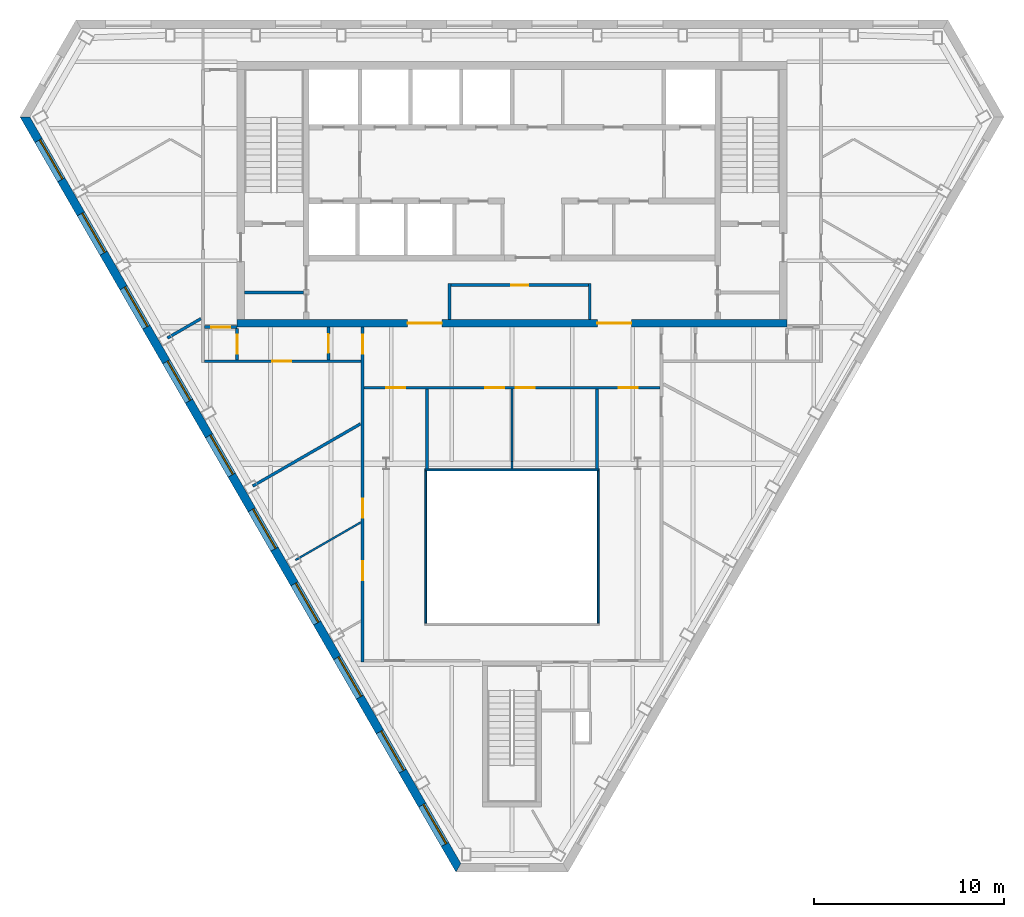
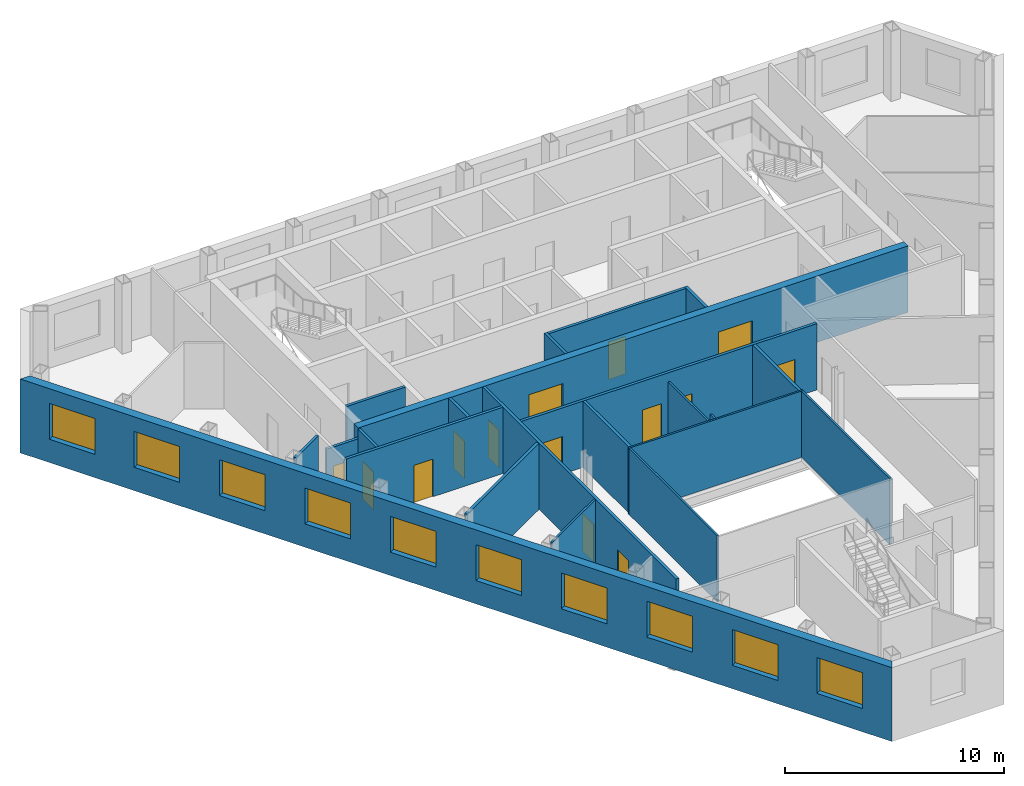
# One storey, part 4 of 10: 22 walls, 14 doors, 10 windows, 24 openings.
"""IFC4 building model written with IfcOpenShell, lengths in metres."""

from ifc_helpers import new_model, si_unit, direction, frame, frame_2d, origin, place, context, subcontext, project, spatial, polyline, rectangle, outline, extrude, material, layer, layer_set, type_object, element, fill, save


model = new_model("IFC4")

# Units and contexts
model_context = context("Model", 3, precision=1e-05, world=origin(), true_north=direction((0.0, 1.0)))
body_context = subcontext(model_context, "Body", "Model", "MODEL_VIEW")
ifc_project = project(units=[si_unit("LENGTHUNIT", "METRE"), si_unit("AREAUNIT", "SQUARE_METRE"), si_unit("VOLUMEUNIT", "CUBIC_METRE"), si_unit("PLANEANGLEUNIT", "RADIAN"), si_unit("MASSUNIT", "GRAM", prefix="KILO")], contexts=[model_context])

# Site, building, storey
site_placement = place(None, origin())
site = spatial("IfcSite", under=ifc_project, at=site_placement, CompositionType="ELEMENT")
building_placement = place(site_placement, origin())
building = spatial("IfcBuilding", under=site, at=building_placement, Name="Njiva Tower", CompositionType="ELEMENT")
storey_placement = place(building_placement, frame((0.0, 0.0, 264.9)))
storey = spatial("IfcBuildingStorey", under=building, at=storey_placement, Name="L60", CompositionType="ELEMENT", Elevation=264.9)

# Walls
ifc_material_1 = material(Name="Blockwork", Category="masonry")
ifc_layer_1 = layer(ifc_material_1, 0.15)
ifc_layer_set_1 = layer_set([ifc_layer_1], Name="Blockwork")
wall_type_1 = type_object("IfcWallType", Name="WT1 Compartment partition 150", PredefinedType="PARTITIONING", material=ifc_layer_set_1)
wall_1_placement = place(storey_placement, frame((-14.1, 5.825, 0.0), z_axis=(0.0, 0.0, 1.0), x_axis=(1.0, 0.0, 0.0)))
element("IfcWall", 1, at=wall_1_placement, inside=storey, type_object=wall_type_1, Name="Room wall A", PredefinedType="PARTITIONING", context=body_context, shape_type="SweptSolid", body=[
    extrude(rectangle(XDim=3.1, YDim=0.15, at=frame_2d((1.55, 0.0))), origin(), (0.0, 0.0, 1.0), 3.7),
])
for number, where, z_axis, x_axis, name in (
    (2, (-3.3, 4.4, 0.0), (0.0, 0.0, 1.0), (0.0, 1.0, 0.0), "Concierge office wall west"),
    (3, (4.1, 4.4, 0.0), (0.0, 0.0, 1.0), (0.0, 1.0, 0.0), "Concierge office wall east"),
):
    element("IfcWall", number, at=place(storey_placement, frame(where, z_axis=z_axis, x_axis=x_axis)), inside=storey, type_object=wall_type_1, Name=name, PredefinedType="PARTITIONING", context=body_context, shape_type="SweptSolid", body=[
        extrude(rectangle(XDim=1.895, YDim=0.15, at=frame_2d((0.9475, 0.0))), origin(), (0.0, 0.0, 1.0), 3.7),
    ])

# Wall, opening, door
wall_2_placement = place(storey_placement, frame((-3.225, 6.22, 0.0), z_axis=(0.0, 0.0, 1.0), x_axis=(1.0, 0.0, 0.0)))
wall_2 = element("IfcWall", 4, at=wall_2_placement, inside=storey, type_object=wall_type_1, Name="Concierge office wall north", PredefinedType="PARTITIONING", context=body_context, shape_type="SweptSolid", body=[
    extrude(rectangle(XDim=7.25, YDim=0.15, at=frame_2d((3.625, 0.0))), origin(), (0.0, 0.0, 1.0), 3.7),
])
opening_1_placement = place(wall_2_placement, frame((3.175, 0.0, 0.0)))
opening_1 = element("IfcOpeningElement", 5, at=opening_1_placement, cuts=wall_2, Name="Opening S19-D924", PredefinedType="OPENING", context=body_context, shape_type="SweptSolid", body=[
    extrude(rectangle(XDim=0.9, YDim=2.1, at=frame_2d((0.45, 1.05))), frame((0.0, 0.085, 0.0), z_axis=(0.0, -1.0, 0.0), x_axis=(1.0, 0.0, 0.0)), (0.0, 0.0, 1.0), 0.17),
])
ifc_material_2 = material(Name="Steel fire door, painted", Category="steel")
door_type_1 = type_object("IfcDoorType", Name="D6 Fire-rated door 900x2100", OperationType="SINGLE_SWING_LEFT", PredefinedType="DOOR", material=ifc_material_2)
door_1_placement = place(opening_1_placement, origin())
door_1 = element("IfcDoor", 6, at=door_1_placement, inside=storey, type_object=door_type_1, Name="Concierge office door", OperationType="SINGLE_SWING_LEFT", OverallHeight=2.1, OverallWidth=0.9, PredefinedType="DOOR", context=body_context, shape_type="SweptSolid", body=[
    extrude(rectangle(XDim=0.9, YDim=2.1, at=frame_2d((0.45, 1.05))), frame((0.0, 0.025, 0.0), z_axis=(0.0, -1.0, 0.0), x_axis=(1.0, 0.0, 0.0)), (0.0, 0.0, 1.0), 0.05),
])
fill(opening_1, door_1)

# Wall, openings, doors
ifc_material_3 = material(Name="Concrete C60/75", Category="concrete")
ifc_layer_2 = layer(ifc_material_3, 0.4)
ifc_layer_set_2 = layer_set([ifc_layer_2], Name="Concrete C60/75")
wall_type_2 = type_object("IfcWallType", Name="WT11 Core wall 400", PredefinedType="SHEAR", material=ifc_layer_set_2)
wall_3_placement = place(storey_placement, frame((-14.5, 4.2, 0.0), z_axis=(0.0, 0.0, 1.0), x_axis=(1.0, 0.0, 0.0)))
wall_3 = element("IfcWall", 7, at=wall_3_placement, inside=storey, type_object=wall_type_2, Name="Core wall south", PredefinedType="SHEAR", context=body_context, shape_type="SweptSolid", body=[
    extrude(rectangle(XDim=29.0, YDim=0.4, at=frame_2d((14.5, 0.0))), origin(), (0.0, 0.0, 1.0), 3.7),
])
opening_2_placement = place(wall_3_placement, frame((9.0, 0.0, 0.0)))
opening_2 = element("IfcOpeningElement", 8, at=opening_2_placement, cuts=wall_3, Name="Opening S19-D926", PredefinedType="OPENING", context=body_context, shape_type="SweptSolid", body=[
    extrude(rectangle(XDim=1.8, YDim=2.4, at=frame_2d((0.9, 1.2))), frame((0.0, 0.21, 0.0), z_axis=(0.0, -1.0, 0.0), x_axis=(1.0, 0.0, 0.0)), (0.0, 0.0, 1.0), 0.42),
])
opening_3_placement = place(wall_3_placement, frame((19.0, 0.0, 0.0)))
opening_3 = element("IfcOpeningElement", 9, at=opening_3_placement, cuts=wall_3, Name="Opening S19-D927", PredefinedType="OPENING", context=body_context, shape_type="SweptSolid", body=[
    extrude(rectangle(XDim=1.8, YDim=2.4, at=frame_2d((0.9, 1.2))), frame((0.0, 0.21, 0.0), z_axis=(0.0, -1.0, 0.0), x_axis=(1.0, 0.0, 0.0)), (0.0, 0.0, 1.0), 0.42),
])
ifc_material_4 = material(Name="Steel and glass door", Category="steel")
door_type_2 = type_object("IfcDoorType", Name="D3 Core entrance door 1800x2400", OperationType="DOUBLE_DOOR_SINGLE_SWING", PredefinedType="DOOR", material=ifc_material_4)
door_2_placement = place(opening_2_placement, origin())
door_2 = element("IfcDoor", 10, at=door_2_placement, inside=storey, type_object=door_type_2, Name="Core entrance door", OperationType="DOUBLE_DOOR_SINGLE_SWING", OverallHeight=2.4, OverallWidth=1.8, PredefinedType="DOOR", context=body_context, shape_type="SweptSolid", body=[
    extrude(rectangle(XDim=1.8, YDim=2.4, at=frame_2d((0.9, 1.2))), frame((0.0, 0.025, 0.0), z_axis=(0.0, -1.0, 0.0), x_axis=(1.0, 0.0, 0.0)), (0.0, 0.0, 1.0), 0.05),
])
fill(opening_2, door_2)
door_3_placement = place(opening_3_placement, origin())
door_3 = element("IfcDoor", 11, at=door_3_placement, inside=storey, type_object=door_type_2, Name="Core entrance door", OperationType="DOUBLE_DOOR_SINGLE_SWING", OverallHeight=2.4, OverallWidth=1.8, PredefinedType="DOOR", context=body_context, shape_type="SweptSolid", body=[
    extrude(rectangle(XDim=1.8, YDim=2.4, at=frame_2d((0.9, 1.2))), frame((0.0, 0.025, 0.0), z_axis=(0.0, -1.0, 0.0), x_axis=(1.0, 0.0, 0.0)), (0.0, 0.0, 1.0), 0.05),
])
fill(opening_3, door_3)

# Walls
ifc_material_5 = material(Name="Gypsum board on steel studs", Category="gypsum")
ifc_layer_3 = layer(ifc_material_5, 0.1)
ifc_layer_set_3 = layer_set([ifc_layer_3], Name="Gypsum board on steel studs")
wall_type_3 = type_object("IfcWallType", Name="WT20 Gypsum partition 100", PredefinedType="PARTITIONING", material=ifc_layer_set_3)
wall_4_placement = place(storey_placement, frame((-11.42, -8.285, 0.0), z_axis=(0.0, 0.0, 1.0), x_axis=(0.866143665252, 0.499795109164, 0.0)))
element("IfcWall", 12, at=wall_4_placement, inside=storey, type_object=wall_type_3, Name="Partition S19-P011", PredefinedType="PARTITIONING", context=body_context, shape_type="SweptSolid", body=[
    extrude(rectangle(XDim=3.9716, YDim=0.1, at=frame_2d((1.9858, 0.0))), origin(), (0.0, 0.0, 1.0), 3.7),
])
wall_5_placement = place(storey_placement, frame((-0.001, 0.725, 0.0), z_axis=(0.0, 0.0, 1.0), x_axis=(0.000235294111, -0.999999972318, 0.0)))
element("IfcWall", 13, at=wall_5_placement, inside=storey, type_object=wall_type_3, Name="Partition S19-P018", PredefinedType="PARTITIONING", context=body_context, shape_type="SweptSolid", body=[
    extrude(rectangle(XDim=3.825, YDim=0.1, at=frame_2d((1.9125, 0.0))), origin(), (0.0, 0.0, 1.0), 3.2),
])
wall_6_placement = place(storey_placement, frame((-0.0001, -3.1, 0.0), z_axis=(0.0, 0.0, 1.0), x_axis=(0.000263157886, -0.999999965374, 0.0)))
element("IfcWall", 14, at=wall_6_placement, inside=storey, type_object=wall_type_3, Name="Partition S19-P018A", PredefinedType="PARTITIONING", context=body_context, shape_type="SweptSolid", body=[
    extrude(rectangle(XDim=0.38, YDim=0.1, at=frame_2d((0.19, 0.0))), origin(), (0.0, 0.0, 1.0), 3.7),
])
ifc_layer_4 = layer(ifc_material_5, 0.15)
ifc_layer_set_4 = layer_set([ifc_layer_4], Name="Gypsum board on steel studs")
wall_type_4 = type_object("IfcWallType", Name="WT21 Compartment wall 150", PredefinedType="PARTITIONING", material=ifc_layer_set_4)
wall_7_placement = place(storey_placement, frame((-18.18, 3.423, 0.0), z_axis=(0.0, 0.0, 1.0), x_axis=(0.865850922242, 0.500302089196, 0.0)))
element("IfcWall", 15, at=wall_7_placement, inside=storey, type_object=wall_type_4, Name="Partition S19-P002", PredefinedType="PARTITIONING", context=body_context, shape_type="SweptSolid", body=[
    extrude(rectangle(XDim=2.0408, YDim=0.15, at=frame_2d((1.0204, 0.0))), origin(), (0.0, 0.0, 1.0), 3.7),
])

# Wall, opening, door
wall_8_placement = place(storey_placement, frame((-16.225, 2.2, 0.0), z_axis=(0.0, 0.0, 1.0), x_axis=(1.0, 0.0, 0.0)))
wall_8 = element("IfcWall", 16, at=wall_8_placement, inside=storey, type_object=wall_type_4, Name="Partition S19-P006", PredefinedType="PARTITIONING", context=body_context, shape_type="SweptSolid", body=[
    extrude(rectangle(XDim=8.27, YDim=0.15, at=frame_2d((4.135, 0.0))), origin(), (0.0, 0.0, 1.0), 3.7),
])
opening_4_placement = place(wall_8_placement, frame((3.584, 0.0, 0.0)))
opening_4 = element("IfcOpeningElement", 17, at=opening_4_placement, cuts=wall_8, Name="Opening S19-D003", PredefinedType="OPENING", context=body_context, shape_type="SweptSolid", body=[
    extrude(rectangle(XDim=1.0, YDim=2.1, at=frame_2d((0.5, 1.05))), frame((0.0, 0.085, 0.0), z_axis=(0.0, -1.0, 0.0), x_axis=(1.0, 0.0, 0.0)), (0.0, 0.0, 1.0), 0.17),
])
ifc_material_6 = material(Name="Steel fire door set", Category="steel")
door_type_3 = type_object("IfcDoorType", Name="D37 Fire door 1000x2100", OperationType="SINGLE_SWING_LEFT", PredefinedType="DOOR", material=ifc_material_6)
door_4_placement = place(opening_4_placement, origin())
door_4 = element("IfcDoor", 18, at=door_4_placement, inside=storey, type_object=door_type_3, Name="Door S19-D003", OperationType="SINGLE_SWING_LEFT", OverallHeight=2.1, OverallWidth=1.0, PredefinedType="DOOR", context=body_context, shape_type="SweptSolid", body=[
    extrude(rectangle(XDim=1.0, YDim=2.1, at=frame_2d((0.5, 1.05))), frame((0.0, 0.025, 0.0), z_axis=(0.0, -1.0, 0.0), x_axis=(1.0, 0.0, 0.0)), (0.0, 0.0, 1.0), 0.05),
])
fill(opening_4, door_4)

wall_9_placement = place(storey_placement, frame((-16.225, 4.0, 0.0), z_axis=(0.0, 0.0, 1.0), x_axis=(1.0, 0.0, 0.0)))
wall_9 = element("IfcWall", 19, at=wall_9_placement, inside=storey, type_object=wall_type_4, Name="Partition S19-P007", PredefinedType="PARTITIONING", context=body_context, shape_type="SweptSolid", body=[
    extrude(rectangle(XDim=1.725, YDim=0.15, at=frame_2d((0.8625, 0.0))), origin(), (0.0, 0.0, 1.0), 3.16),
])
opening_5_placement = place(wall_9_placement, frame((0.363, 0.0, 0.0)))
opening_5 = element("IfcOpeningElement", 20, at=opening_5_placement, cuts=wall_9, Name="Opening S19-D004", PredefinedType="OPENING", context=body_context, shape_type="SweptSolid", body=[
    extrude(rectangle(XDim=1.0, YDim=2.1, at=frame_2d((0.5, 1.05))), frame((0.0, 0.085, 0.0), z_axis=(0.0, -1.0, 0.0), x_axis=(1.0, 0.0, 0.0)), (0.0, 0.0, 1.0), 0.17),
])
door_5_placement = place(opening_5_placement, origin())
door_5 = element("IfcDoor", 21, at=door_5_placement, inside=storey, type_object=door_type_3, Name="Door S19-D004", OperationType="SINGLE_SWING_LEFT", OverallHeight=2.1, OverallWidth=1.0, PredefinedType="DOOR", context=body_context, shape_type="SweptSolid", body=[
    extrude(rectangle(XDim=1.0, YDim=2.1, at=frame_2d((0.5, 1.05))), frame((0.0, 0.025, 0.0), z_axis=(0.0, -1.0, 0.0), x_axis=(1.0, 0.0, 0.0)), (0.0, 0.0, 1.0), 0.05),
])
fill(opening_5, door_5)

wall_10_placement = place(storey_placement, frame((-14.5, 2.275, 0.0), z_axis=(0.0, 0.0, 1.0), x_axis=(0.0, 1.0, 0.0)))
wall_10 = element("IfcWall", 22, at=wall_10_placement, inside=storey, type_object=wall_type_4, Name="Partition S19-P009", PredefinedType="PARTITIONING", context=body_context, shape_type="SweptSolid", body=[
    extrude(rectangle(XDim=1.65, YDim=0.15, at=frame_2d((0.825, 0.0))), origin(), (0.0, 0.0, 1.0), 3.7),
])
opening_6_placement = place(wall_10_placement, frame((0.325, 0.0, 0.0)))
opening_6 = element("IfcOpeningElement", 23, at=opening_6_placement, cuts=wall_10, Name="Opening S19-D006", PredefinedType="OPENING", context=body_context, shape_type="SweptSolid", body=[
    extrude(rectangle(XDim=1.0, YDim=2.1, at=frame_2d((0.5, 1.05))), frame((0.0, 0.085, 0.0), z_axis=(0.0, -1.0, 0.0), x_axis=(1.0, 0.0, 0.0)), (0.0, 0.0, 1.0), 0.17),
])
door_6_placement = place(opening_6_placement, origin())
door_6 = element("IfcDoor", 24, at=door_6_placement, inside=storey, type_object=door_type_3, Name="Door S19-D006", OperationType="SINGLE_SWING_RIGHT", OverallHeight=2.1, OverallWidth=1.0, PredefinedType="DOOR", context=body_context, shape_type="SweptSolid", body=[
    extrude(rectangle(XDim=1.0, YDim=2.1, at=frame_2d((0.5, 1.05))), frame((0.0, 0.025, 0.0), z_axis=(0.0, -1.0, 0.0), x_axis=(1.0, 0.0, 0.0)), (0.0, 0.0, 1.0), 0.05),
])
fill(opening_6, door_6)

# Wall
wall_11_placement = place(storey_placement, frame((-13.673, -4.382, 0.0), z_axis=(0.0, 0.0, 1.0), x_axis=(0.866086584464, 0.499894016979, 0.0)))
element("IfcWall", 25, at=wall_11_placement, inside=storey, type_object=wall_type_4, Name="Partition S19-P010", PredefinedType="PARTITIONING", context=body_context, shape_type="SweptSolid", body=[
    extrude(rectangle(XDim=6.5594, YDim=0.15, at=frame_2d((3.2797, 0.0))), origin(), (0.0, 0.0, 1.0), 3.7),
])

# Wall, opening, door
wall_12_placement = place(storey_placement, frame((-9.68, 2.275, 0.0), z_axis=(0.0, 0.0, 1.0), x_axis=(0.0, 1.0, 0.0)))
wall_12 = element("IfcWall", 26, at=wall_12_placement, inside=storey, type_object=wall_type_4, Name="Partition S19-P012", PredefinedType="PARTITIONING", context=body_context, shape_type="SweptSolid", body=[
    extrude(rectangle(XDim=1.725, YDim=0.15, at=frame_2d((0.8625, 0.0))), origin(), (0.0, 0.0, 1.0), 3.7),
])
opening_7_placement = place(wall_12_placement, frame((0.362, 0.0, 0.0)))
opening_7 = element("IfcOpeningElement", 27, at=opening_7_placement, cuts=wall_12, Name="Opening S19-D007", PredefinedType="OPENING", context=body_context, shape_type="SweptSolid", body=[
    extrude(rectangle(XDim=1.0, YDim=2.1, at=frame_2d((0.5, 1.05))), frame((0.0, 0.085, 0.0), z_axis=(0.0, -1.0, 0.0), x_axis=(1.0, 0.0, 0.0)), (0.0, 0.0, 1.0), 0.17),
])
door_7_placement = place(opening_7_placement, origin())
door_7 = element("IfcDoor", 28, at=door_7_placement, inside=storey, type_object=door_type_3, Name="Door S19-D007", OperationType="SINGLE_SWING_RIGHT", OverallHeight=2.1, OverallWidth=1.0, PredefinedType="DOOR", context=body_context, shape_type="SweptSolid", body=[
    extrude(rectangle(XDim=1.0, YDim=2.1, at=frame_2d((0.5, 1.05))), frame((0.0, 0.025, 0.0), z_axis=(0.0, -1.0, 0.0), x_axis=(1.0, 0.0, 0.0)), (0.0, 0.0, 1.0), 0.05),
])
fill(opening_7, door_7)

# Wall, openings, doors
wall_13_placement = place(storey_placement, frame((-7.88, -13.675, 0.0), z_axis=(0.0, 0.0, 1.0), x_axis=(0.0, 1.0, 0.0)))
wall_13 = element("IfcWall", 29, at=wall_13_placement, inside=storey, type_object=wall_type_4, Name="Partition S19-P014", PredefinedType="PARTITIONING", context=body_context, shape_type="SweptSolid", body=[
    extrude(rectangle(XDim=17.675, YDim=0.15, at=frame_2d((8.8375, 0.0))), origin(), (0.0, 0.0, 1.0), 3.7),
])
opening_8_placement = place(wall_13_placement, frame((4.331, 0.0, 0.0)))
opening_8 = element("IfcOpeningElement", 30, at=opening_8_placement, cuts=wall_13, Name="Opening S19-D008", PredefinedType="OPENING", context=body_context, shape_type="SweptSolid", body=[
    extrude(rectangle(XDim=1.0, YDim=2.1, at=frame_2d((0.5, 1.05))), frame((0.0, 0.085, 0.0), z_axis=(0.0, -1.0, 0.0), x_axis=(1.0, 0.0, 0.0)), (0.0, 0.0, 1.0), 0.17),
])
opening_9_placement = place(wall_13_placement, frame((7.633, 0.0, 0.0)))
opening_9 = element("IfcOpeningElement", 31, at=opening_9_placement, cuts=wall_13, Name="Opening S19-D009", PredefinedType="OPENING", context=body_context, shape_type="SweptSolid", body=[
    extrude(rectangle(XDim=1.0, YDim=2.1, at=frame_2d((0.5, 1.05))), frame((0.0, 0.085, 0.0), z_axis=(0.0, -1.0, 0.0), x_axis=(1.0, 0.0, 0.0)), (0.0, 0.0, 1.0), 0.17),
])
opening_10_placement = place(wall_13_placement, frame((16.275, 0.0, 0.0)))
opening_10 = element("IfcOpeningElement", 32, at=opening_10_placement, cuts=wall_13, Name="Opening S19-D010", PredefinedType="OPENING", context=body_context, shape_type="SweptSolid", body=[
    extrude(rectangle(XDim=1.0, YDim=2.1, at=frame_2d((0.5, 1.05))), frame((0.0, 0.085, 0.0), z_axis=(0.0, -1.0, 0.0), x_axis=(1.0, 0.0, 0.0)), (0.0, 0.0, 1.0), 0.17),
])
door_8_placement = place(opening_8_placement, origin())
door_8 = element("IfcDoor", 33, at=door_8_placement, inside=storey, type_object=door_type_3, Name="Door S19-D008", OperationType="SINGLE_SWING_RIGHT", OverallHeight=2.1, OverallWidth=1.0, PredefinedType="DOOR", context=body_context, shape_type="SweptSolid", body=[
    extrude(rectangle(XDim=1.0, YDim=2.1, at=frame_2d((0.5, 1.05))), frame((0.0, 0.025, 0.0), z_axis=(0.0, -1.0, 0.0), x_axis=(1.0, 0.0, 0.0)), (0.0, 0.0, 1.0), 0.05),
])
fill(opening_8, door_8)
door_9_placement = place(opening_9_placement, origin())
door_9 = element("IfcDoor", 34, at=door_9_placement, inside=storey, type_object=door_type_3, Name="Door S19-D009", OperationType="SINGLE_SWING_RIGHT", OverallHeight=2.1, OverallWidth=1.0, PredefinedType="DOOR", context=body_context, shape_type="SweptSolid", body=[
    extrude(rectangle(XDim=1.0, YDim=2.1, at=frame_2d((0.5, 1.05))), frame((0.0, 0.025, 0.0), z_axis=(0.0, -1.0, 0.0), x_axis=(1.0, 0.0, 0.0)), (0.0, 0.0, 1.0), 0.05),
])
fill(opening_9, door_9)
door_10_placement = place(opening_10_placement, origin())
door_10 = element("IfcDoor", 35, at=door_10_placement, inside=storey, type_object=door_type_3, Name="Door S19-D010", OperationType="SINGLE_SWING_LEFT", OverallHeight=2.1, OverallWidth=1.0, PredefinedType="DOOR", context=body_context, shape_type="SweptSolid", body=[
    extrude(rectangle(XDim=1.0, YDim=2.1, at=frame_2d((0.5, 1.05))), frame((0.0, 0.025, 0.0), z_axis=(0.0, -1.0, 0.0), x_axis=(1.0, 0.0, 0.0)), (0.0, 0.0, 1.0), 0.05),
])
fill(opening_10, door_10)

wall_14_placement = place(storey_placement, frame((-7.805, 0.8, 0.0), z_axis=(0.0, 0.0, 1.0), x_axis=(1.0, 0.0, 0.0)))
wall_14 = element("IfcWall", 36, at=wall_14_placement, inside=storey, type_object=wall_type_4, Name="Partition S19-P016", PredefinedType="PARTITIONING", context=body_context, shape_type="SweptSolid", body=[
    extrude(rectangle(XDim=15.61, YDim=0.15, at=frame_2d((7.805, 0.0))), origin(), (0.0, 0.0, 1.0), 3.7),
])
opening_11_placement = place(wall_14_placement, frame((1.168, 0.0, 0.0)))
opening_11 = element("IfcOpeningElement", 37, at=opening_11_placement, cuts=wall_14, Name="Opening S19-D012", PredefinedType="OPENING", context=body_context, shape_type="SweptSolid", body=[
    extrude(rectangle(XDim=1.0, YDim=2.1, at=frame_2d((0.5, 1.05))), frame((0.0, 0.085, 0.0), z_axis=(0.0, -1.0, 0.0), x_axis=(1.0, 0.0, 0.0)), (0.0, 0.0, 1.0), 0.17),
])
opening_12_placement = place(wall_14_placement, frame((6.399, 0.0, 0.0)))
opening_12 = element("IfcOpeningElement", 38, at=opening_12_placement, cuts=wall_14, Name="Opening S19-D013", PredefinedType="OPENING", context=body_context, shape_type="SweptSolid", body=[
    extrude(rectangle(XDim=1.0, YDim=2.1, at=frame_2d((0.5, 1.05))), frame((0.0, 0.085, 0.0), z_axis=(0.0, -1.0, 0.0), x_axis=(1.0, 0.0, 0.0)), (0.0, 0.0, 1.0), 0.17),
])
opening_13_placement = place(wall_14_placement, frame((8.006, 0.0, 0.0)))
opening_13 = element("IfcOpeningElement", 39, at=opening_13_placement, cuts=wall_14, Name="Opening S19-D014", PredefinedType="OPENING", context=body_context, shape_type="SweptSolid", body=[
    extrude(rectangle(XDim=1.0, YDim=2.1, at=frame_2d((0.5, 1.05))), frame((0.0, 0.085, 0.0), z_axis=(0.0, -1.0, 0.0), x_axis=(1.0, 0.0, 0.0)), (0.0, 0.0, 1.0), 0.17),
])
opening_14_placement = place(wall_14_placement, frame((13.441, 0.0, 0.0)))
opening_14 = element("IfcOpeningElement", 40, at=opening_14_placement, cuts=wall_14, Name="Opening S19-D015", PredefinedType="OPENING", context=body_context, shape_type="SweptSolid", body=[
    extrude(rectangle(XDim=1.0, YDim=2.1, at=frame_2d((0.5, 1.05))), frame((0.0, 0.085, 0.0), z_axis=(0.0, -1.0, 0.0), x_axis=(1.0, 0.0, 0.0)), (0.0, 0.0, 1.0), 0.17),
])
door_11_placement = place(opening_11_placement, origin())
door_11 = element("IfcDoor", 41, at=door_11_placement, inside=storey, type_object=door_type_3, Name="Door S19-D012", OperationType="SINGLE_SWING_RIGHT", OverallHeight=2.1, OverallWidth=1.0, PredefinedType="DOOR", context=body_context, shape_type="SweptSolid", body=[
    extrude(rectangle(XDim=1.0, YDim=2.1, at=frame_2d((0.5, 1.05))), frame((0.0, 0.025, 0.0), z_axis=(0.0, -1.0, 0.0), x_axis=(1.0, 0.0, 0.0)), (0.0, 0.0, 1.0), 0.05),
])
fill(opening_11, door_11)
door_12_placement = place(opening_12_placement, origin())
door_12 = element("IfcDoor", 42, at=door_12_placement, inside=storey, type_object=door_type_3, Name="Door S19-D013", OperationType="SINGLE_SWING_LEFT", OverallHeight=2.1, OverallWidth=1.0, PredefinedType="DOOR", context=body_context, shape_type="SweptSolid", body=[
    extrude(rectangle(XDim=1.0, YDim=2.1, at=frame_2d((0.5, 1.05))), frame((0.0, 0.025, 0.0), z_axis=(0.0, -1.0, 0.0), x_axis=(1.0, 0.0, 0.0)), (0.0, 0.0, 1.0), 0.05),
])
fill(opening_12, door_12)
door_13_placement = place(opening_13_placement, origin())
door_13 = element("IfcDoor", 43, at=door_13_placement, inside=storey, type_object=door_type_3, Name="Door S19-D014", OperationType="SINGLE_SWING_RIGHT", OverallHeight=2.1, OverallWidth=1.0, PredefinedType="DOOR", context=body_context, shape_type="SweptSolid", body=[
    extrude(rectangle(XDim=1.0, YDim=2.1, at=frame_2d((0.5, 1.05))), frame((0.0, 0.025, 0.0), z_axis=(0.0, -1.0, 0.0), x_axis=(1.0, 0.0, 0.0)), (0.0, 0.0, 1.0), 0.05),
])
fill(opening_13, door_13)
door_14_placement = place(opening_14_placement, origin())
door_14 = element("IfcDoor", 44, at=door_14_placement, inside=storey, type_object=door_type_3, Name="Door S19-D015", OperationType="SINGLE_SWING_LEFT", OverallHeight=2.1, OverallWidth=1.0, PredefinedType="DOOR", context=body_context, shape_type="SweptSolid", body=[
    extrude(rectangle(XDim=1.0, YDim=2.1, at=frame_2d((0.5, 1.05))), frame((0.0, 0.025, 0.0), z_axis=(0.0, -1.0, 0.0), x_axis=(1.0, 0.0, 0.0)), (0.0, 0.0, 1.0), 0.05),
])
fill(opening_14, door_14)

# Walls
for number, where, z_axis, x_axis, name in (
    (45, (-4.48, -3.48, 0.0), (0.0, 0.0, 1.0), (0.0, 1.0, 0.0), "Partition S19-P017"),
    (46, (4.479, -3.48, 0.0), (0.0, 0.0, 1.0), (0.000237812122, 0.999999971723, 0.0), "Partition S19-P021"),
):
    element("IfcWall", number, at=place(storey_placement, frame(where, z_axis=z_axis, x_axis=x_axis)), inside=storey, type_object=wall_type_4, Name=name, PredefinedType="PARTITIONING", context=body_context, shape_type="SweptSolid", body=[
        extrude(rectangle(XDim=4.205, YDim=0.15, at=frame_2d((2.1025, 0.0))), origin(), (0.0, 0.0, 1.0), 3.7),
    ])

# Wall, openings, windows
ifc_material_7 = material(Name="Brick masonry", Category="masonry")
ifc_layer_5 = layer(ifc_material_7, 0.45)
ifc_layer_set_5 = layer_set([ifc_layer_5], Name="Brick masonry")
wall_type_5 = type_object("IfcWallType", Name="WT90 Brick pier and spandrel wall 450", PredefinedType="SOLIDWALL", material=ifc_layer_set_5)
wall_15_placement = place(storey_placement, frame((-25.6902, 15.0818, -0.4), z_axis=(0.0, 0.0, 1.0), x_axis=(0.500000141277, -0.866025322218, 0.0)))
wall_15 = element("IfcWall", 47, at=wall_15_placement, inside=storey, type_object=wall_type_5, Name="Facade wall SW", PredefinedType="SOLIDWALL", context=body_context, shape_type="SweptSolid", body=[
    extrude(outline(polyline([(-0.1299, -0.225), (45.8601, -0.225), (45.6003, 0.225), (0.1299, 0.225), (-0.1299, -0.225)])), origin(), (0.0, 0.0, 1.0), 4.12),
])
opening_15_placement = place(wall_15_placement, frame((1.4237, 0.0, 1.3)))
opening_15 = element("IfcOpeningElement", 48, at=opening_15_placement, cuts=wall_15, Name="Opening S19-W09", PredefinedType="OPENING", context=body_context, shape_type="SweptSolid", body=[
    extrude(rectangle(XDim=2.4, YDim=2.0, at=frame_2d((1.2, 1.0))), frame((0.0, 0.235, 0.0), z_axis=(0.0, -1.0, 0.0), x_axis=(1.0, 0.0, 0.0)), (0.0, 0.0, 1.0), 0.47),
])
opening_16_placement = place(wall_15_placement, frame((5.8919, 0.0, 1.3)))
opening_16 = element("IfcOpeningElement", 49, at=opening_16_placement, cuts=wall_15, Name="Opening S19-W10", PredefinedType="OPENING", context=body_context, shape_type="SweptSolid", body=[
    extrude(rectangle(XDim=2.4, YDim=2.0, at=frame_2d((1.2, 1.0))), frame((0.0, 0.235, 0.0), z_axis=(0.0, -1.0, 0.0), x_axis=(1.0, 0.0, 0.0)), (0.0, 0.0, 1.0), 0.47),
])
opening_17_placement = place(wall_15_placement, frame((10.3985, 0.0, 1.3)))
opening_17 = element("IfcOpeningElement", 50, at=opening_17_placement, cuts=wall_15, Name="Opening S19-W11", PredefinedType="OPENING", context=body_context, shape_type="SweptSolid", body=[
    extrude(rectangle(XDim=2.4, YDim=2.0, at=frame_2d((1.2, 1.0))), frame((0.0, 0.235, 0.0), z_axis=(0.0, -1.0, 0.0), x_axis=(1.0, 0.0, 0.0)), (0.0, 0.0, 1.0), 0.47),
])
opening_18_placement = place(wall_15_placement, frame((14.9052, 0.0, 1.3)))
opening_18 = element("IfcOpeningElement", 51, at=opening_18_placement, cuts=wall_15, Name="Opening S19-W12", PredefinedType="OPENING", context=body_context, shape_type="SweptSolid", body=[
    extrude(rectangle(XDim=2.4, YDim=2.0, at=frame_2d((1.2, 1.0))), frame((0.0, 0.235, 0.0), z_axis=(0.0, -1.0, 0.0), x_axis=(1.0, 0.0, 0.0)), (0.0, 0.0, 1.0), 0.47),
])
opening_19_placement = place(wall_15_placement, frame((19.4118, 0.0, 1.3)))
opening_19 = element("IfcOpeningElement", 52, at=opening_19_placement, cuts=wall_15, Name="Opening S19-W13", PredefinedType="OPENING", context=body_context, shape_type="SweptSolid", body=[
    extrude(rectangle(XDim=2.4, YDim=2.0, at=frame_2d((1.2, 1.0))), frame((0.0, 0.235, 0.0), z_axis=(0.0, -1.0, 0.0), x_axis=(1.0, 0.0, 0.0)), (0.0, 0.0, 1.0), 0.47),
])
opening_20_placement = place(wall_15_placement, frame((23.9184, 0.0, 1.3)))
opening_20 = element("IfcOpeningElement", 53, at=opening_20_placement, cuts=wall_15, Name="Opening S19-W14", PredefinedType="OPENING", context=body_context, shape_type="SweptSolid", body=[
    extrude(rectangle(XDim=2.4, YDim=2.0, at=frame_2d((1.2, 1.0))), frame((0.0, 0.235, 0.0), z_axis=(0.0, -1.0, 0.0), x_axis=(1.0, 0.0, 0.0)), (0.0, 0.0, 1.0), 0.47),
])
opening_21_placement = place(wall_15_placement, frame((28.425, 0.0, 1.3)))
opening_21 = element("IfcOpeningElement", 54, at=opening_21_placement, cuts=wall_15, Name="Opening S19-W15", PredefinedType="OPENING", context=body_context, shape_type="SweptSolid", body=[
    extrude(rectangle(XDim=2.4, YDim=2.0, at=frame_2d((1.2, 1.0))), frame((0.0, 0.235, 0.0), z_axis=(0.0, -1.0, 0.0), x_axis=(1.0, 0.0, 0.0)), (0.0, 0.0, 1.0), 0.47),
])
opening_22_placement = place(wall_15_placement, frame((32.9316, 0.0, 1.3)))
opening_22 = element("IfcOpeningElement", 55, at=opening_22_placement, cuts=wall_15, Name="Opening S19-W16", PredefinedType="OPENING", context=body_context, shape_type="SweptSolid", body=[
    extrude(rectangle(XDim=2.4, YDim=2.0, at=frame_2d((1.2, 1.0))), frame((0.0, 0.235, 0.0), z_axis=(0.0, -1.0, 0.0), x_axis=(1.0, 0.0, 0.0)), (0.0, 0.0, 1.0), 0.47),
])
opening_23_placement = place(wall_15_placement, frame((37.4383, 0.0, 1.3)))
opening_23 = element("IfcOpeningElement", 56, at=opening_23_placement, cuts=wall_15, Name="Opening S19-W17", PredefinedType="OPENING", context=body_context, shape_type="SweptSolid", body=[
    extrude(rectangle(XDim=2.4, YDim=2.0, at=frame_2d((1.2, 1.0))), frame((0.0, 0.235, 0.0), z_axis=(0.0, -1.0, 0.0), x_axis=(1.0, 0.0, 0.0)), (0.0, 0.0, 1.0), 0.47),
])
opening_24_placement = place(wall_15_placement, frame((41.9065, 0.0, 1.3)))
opening_24 = element("IfcOpeningElement", 57, at=opening_24_placement, cuts=wall_15, Name="Opening S19-W18", PredefinedType="OPENING", context=body_context, shape_type="SweptSolid", body=[
    extrude(rectangle(XDim=2.4, YDim=2.0, at=frame_2d((1.2, 1.0))), frame((0.0, 0.235, 0.0), z_axis=(0.0, -1.0, 0.0), x_axis=(1.0, 0.0, 0.0)), (0.0, 0.0, 1.0), 0.47),
])
ifc_material_8 = material(Name="Clear glazing in aluminium frame", Category="aluminium")
window_type = type_object("IfcWindowType", Name="W90 Deep-set window 2400x2000", PartitioningType="SINGLE_PANEL", PredefinedType="WINDOW", material=ifc_material_8)
window_1_placement = place(opening_15_placement, origin())
window_1 = element("IfcWindow", 58, at=window_1_placement, inside=storey, type_object=window_type, Name="Window", OverallHeight=2.0, OverallWidth=2.4, PartitioningType="SINGLE_PANEL", PredefinedType="WINDOW", context=body_context, shape_type="SweptSolid", body=[
    extrude(rectangle(XDim=2.4, YDim=2.0, at=frame_2d((1.2, 1.0))), frame((0.0, 0.105, 0.0), z_axis=(0.0, -1.0, 0.0), x_axis=(1.0, 0.0, 0.0)), (0.0, 0.0, 1.0), 0.06),
])
fill(opening_15, window_1)
window_2_placement = place(opening_16_placement, origin())
window_2 = element("IfcWindow", 59, at=window_2_placement, inside=storey, type_object=window_type, Name="Window", OverallHeight=2.0, OverallWidth=2.4, PartitioningType="SINGLE_PANEL", PredefinedType="WINDOW", context=body_context, shape_type="SweptSolid", body=[
    extrude(rectangle(XDim=2.4, YDim=2.0, at=frame_2d((1.2, 1.0))), frame((0.0, 0.105, 0.0), z_axis=(0.0, -1.0, 0.0), x_axis=(1.0, 0.0, 0.0)), (0.0, 0.0, 1.0), 0.06),
])
fill(opening_16, window_2)
window_3_placement = place(opening_17_placement, origin())
window_3 = element("IfcWindow", 60, at=window_3_placement, inside=storey, type_object=window_type, Name="Window", OverallHeight=2.0, OverallWidth=2.4, PartitioningType="SINGLE_PANEL", PredefinedType="WINDOW", context=body_context, shape_type="SweptSolid", body=[
    extrude(rectangle(XDim=2.4, YDim=2.0, at=frame_2d((1.2, 1.0))), frame((0.0, 0.105, 0.0), z_axis=(0.0, -1.0, 0.0), x_axis=(1.0, 0.0, 0.0)), (0.0, 0.0, 1.0), 0.06),
])
fill(opening_17, window_3)
window_4_placement = place(opening_18_placement, origin())
window_4 = element("IfcWindow", 61, at=window_4_placement, inside=storey, type_object=window_type, Name="Window", OverallHeight=2.0, OverallWidth=2.4, PartitioningType="SINGLE_PANEL", PredefinedType="WINDOW", context=body_context, shape_type="SweptSolid", body=[
    extrude(rectangle(XDim=2.4, YDim=2.0, at=frame_2d((1.2, 1.0))), frame((0.0, 0.105, 0.0), z_axis=(0.0, -1.0, 0.0), x_axis=(1.0, 0.0, 0.0)), (0.0, 0.0, 1.0), 0.06),
])
fill(opening_18, window_4)
window_5_placement = place(opening_19_placement, origin())
window_5 = element("IfcWindow", 62, at=window_5_placement, inside=storey, type_object=window_type, Name="Window", OverallHeight=2.0, OverallWidth=2.4, PartitioningType="SINGLE_PANEL", PredefinedType="WINDOW", context=body_context, shape_type="SweptSolid", body=[
    extrude(rectangle(XDim=2.4, YDim=2.0, at=frame_2d((1.2, 1.0))), frame((0.0, 0.105, 0.0), z_axis=(0.0, -1.0, 0.0), x_axis=(1.0, 0.0, 0.0)), (0.0, 0.0, 1.0), 0.06),
])
fill(opening_19, window_5)
window_6_placement = place(opening_20_placement, origin())
window_6 = element("IfcWindow", 63, at=window_6_placement, inside=storey, type_object=window_type, Name="Window", OverallHeight=2.0, OverallWidth=2.4, PartitioningType="SINGLE_PANEL", PredefinedType="WINDOW", context=body_context, shape_type="SweptSolid", body=[
    extrude(rectangle(XDim=2.4, YDim=2.0, at=frame_2d((1.2, 1.0))), frame((0.0, 0.105, 0.0), z_axis=(0.0, -1.0, 0.0), x_axis=(1.0, 0.0, 0.0)), (0.0, 0.0, 1.0), 0.06),
])
fill(opening_20, window_6)
window_7_placement = place(opening_21_placement, origin())
window_7 = element("IfcWindow", 64, at=window_7_placement, inside=storey, type_object=window_type, Name="Window", OverallHeight=2.0, OverallWidth=2.4, PartitioningType="SINGLE_PANEL", PredefinedType="WINDOW", context=body_context, shape_type="SweptSolid", body=[
    extrude(rectangle(XDim=2.4, YDim=2.0, at=frame_2d((1.2, 1.0))), frame((0.0, 0.105, 0.0), z_axis=(0.0, -1.0, 0.0), x_axis=(1.0, 0.0, 0.0)), (0.0, 0.0, 1.0), 0.06),
])
fill(opening_21, window_7)
window_8_placement = place(opening_22_placement, origin())
window_8 = element("IfcWindow", 65, at=window_8_placement, inside=storey, type_object=window_type, Name="Window", OverallHeight=2.0, OverallWidth=2.4, PartitioningType="SINGLE_PANEL", PredefinedType="WINDOW", context=body_context, shape_type="SweptSolid", body=[
    extrude(rectangle(XDim=2.4, YDim=2.0, at=frame_2d((1.2, 1.0))), frame((0.0, 0.105, 0.0), z_axis=(0.0, -1.0, 0.0), x_axis=(1.0, 0.0, 0.0)), (0.0, 0.0, 1.0), 0.06),
])
fill(opening_22, window_8)
window_9_placement = place(opening_23_placement, origin())
window_9 = element("IfcWindow", 66, at=window_9_placement, inside=storey, type_object=window_type, Name="Window", OverallHeight=2.0, OverallWidth=2.4, PartitioningType="SINGLE_PANEL", PredefinedType="WINDOW", context=body_context, shape_type="SweptSolid", body=[
    extrude(rectangle(XDim=2.4, YDim=2.0, at=frame_2d((1.2, 1.0))), frame((0.0, 0.105, 0.0), z_axis=(0.0, -1.0, 0.0), x_axis=(1.0, 0.0, 0.0)), (0.0, 0.0, 1.0), 0.06),
])
fill(opening_23, window_9)
window_10_placement = place(opening_24_placement, origin())
window_10 = element("IfcWindow", 67, at=window_10_placement, inside=storey, type_object=window_type, Name="Window", OverallHeight=2.0, OverallWidth=2.4, PartitioningType="SINGLE_PANEL", PredefinedType="WINDOW", context=body_context, shape_type="SweptSolid", body=[
    extrude(rectangle(XDim=2.4, YDim=2.0, at=frame_2d((1.2, 1.0))), frame((0.0, 0.105, 0.0), z_axis=(0.0, -1.0, 0.0), x_axis=(1.0, 0.0, 0.0)), (0.0, 0.0, 1.0), 0.06),
])
fill(opening_24, window_10)

# Walls
ifc_material_9 = material(Name="Fire-resisting glazing EI 90", Category="glass")
ifc_layer_6 = layer(ifc_material_9, 0.1)
ifc_layer_set_6 = layer_set([ifc_layer_6], Name="Fire-resisting glazing EI 90")
wall_type_6 = type_object("IfcWallType", Name="WT95 Fire-resisting glazed screen EI 90", PredefinedType="PARTITIONING", material=ifc_layer_set_6)
wall_16_placement = place(storey_placement, frame((4.55, -11.62, 0.0), z_axis=(0.0, 0.0, 1.0), x_axis=(0.0, 1.0, 0.0)))
element("IfcWall", 68, at=wall_16_placement, inside=storey, type_object=wall_type_6, Name="Atrium fire screen east", PredefinedType="PARTITIONING", context=body_context, shape_type="SweptSolid", body=[
    extrude(rectangle(XDim=8.04, YDim=0.1, at=frame_2d((4.02, 0.0))), origin(), (0.0, 0.0, 1.0), 3.7),
])
wall_17_placement = place(storey_placement, frame((4.6, -3.53, 0.0), z_axis=(0.0, 0.0, 1.0), x_axis=(-1.0, 0.0, 0.0)))
element("IfcWall", 69, at=wall_17_placement, inside=storey, type_object=wall_type_6, Name="Atrium fire screen north", PredefinedType="PARTITIONING", context=body_context, shape_type="SweptSolid", body=[
    extrude(rectangle(XDim=9.2, YDim=0.1, at=frame_2d((4.6, 0.0))), origin(), (0.0, 0.0, 1.0), 3.7),
])
wall_18_placement = place(storey_placement, frame((-4.55, -3.58, 0.0), z_axis=(0.0, 0.0, 1.0), x_axis=(0.0, -1.0, 0.0)))
element("IfcWall", 70, at=wall_18_placement, inside=storey, type_object=wall_type_6, Name="Atrium fire screen west", PredefinedType="PARTITIONING", context=body_context, shape_type="SweptSolid", body=[
    extrude(rectangle(XDim=8.04, YDim=0.1, at=frame_2d((4.02, 0.0))), origin(), (0.0, 0.0, 1.0), 3.7),
])

save(model, "model.ifc")
